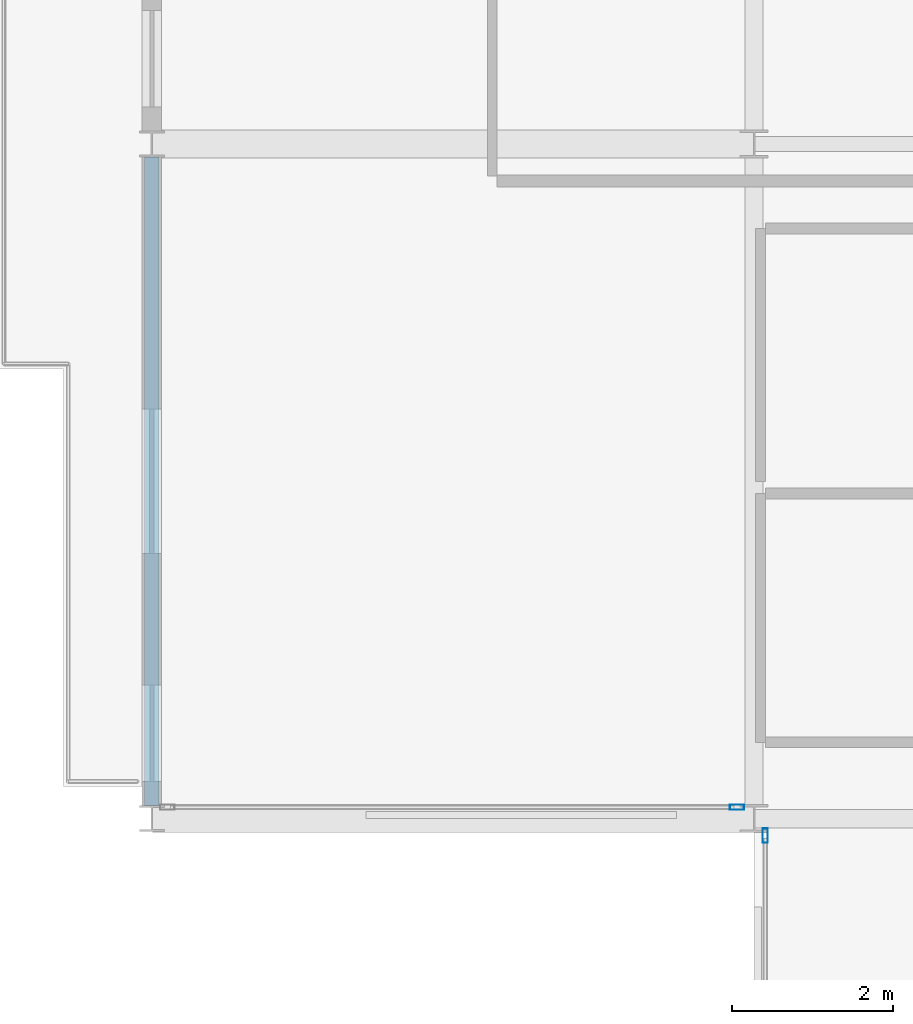
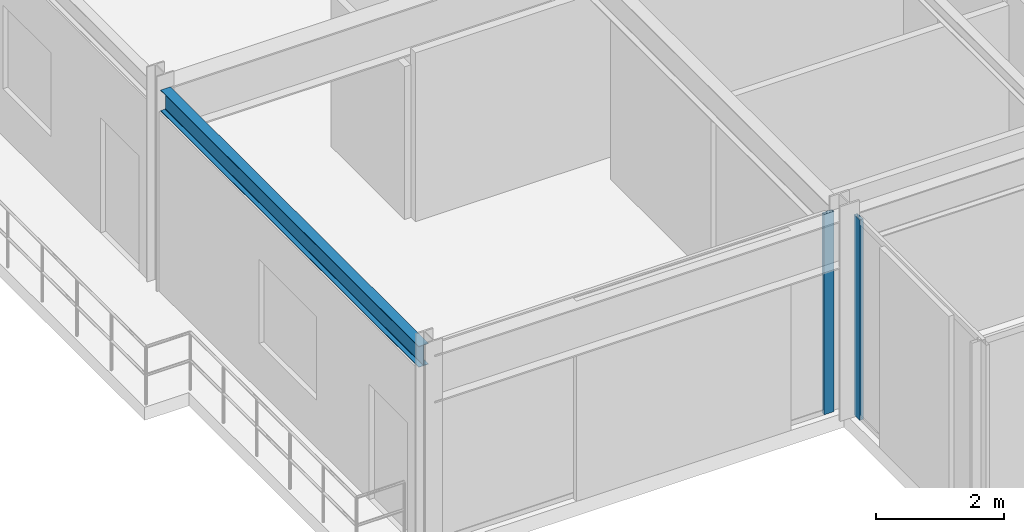
# One storey, part 4 of 29: 2 members, 1 beam, 2 elements without a shape of their own.
"""IFC4 building model written with IfcOpenShell, lengths in metres."""

from ifc_helpers import new_model, si_unit, direction, frame, origin, origin_2d, place, context, subcontext, project, spatial, hollow_rectangle, i_section, extrude, material, layer, layer_set, material_profile, profile_set, type_object, element, aggregate, save


model = new_model("IFC4")

# Units and contexts
model_context = context("Model", 3, precision=1e-05, world=origin(), true_north=direction((0.0, 1.0)))
body_context = subcontext(model_context, "Body", "Model", "MODEL_VIEW")
ifc_project = project(units=[si_unit("LENGTHUNIT", "METRE"), si_unit("AREAUNIT", "SQUARE_METRE"), si_unit("VOLUMEUNIT", "CUBIC_METRE"), si_unit("PLANEANGLEUNIT", "RADIAN"), si_unit("MASSUNIT", "GRAM", prefix="KILO")], contexts=[model_context])

# Site, building, storey
site_placement = place(None, origin())
site = spatial("IfcSite", under=ifc_project, at=site_placement, CompositionType="ELEMENT")
building_placement = place(site_placement, origin())
building = spatial("IfcBuilding", under=site, at=building_placement, Name="Nerrivon Quay Data Exchange", CompositionType="ELEMENT")
storey_placement = place(building_placement, frame((0.0, 0.0, 183.699951171875)))
storey = spatial("IfcBuildingStorey", under=building, at=storey_placement, Name="L43", CompositionType="ELEMENT", Elevation=183.699951171875)

# Beam
ifc_material_1 = material(Name="Steel Grade 350", Category="steel")
ifc_material_profile_1 = material_profile(ifc_material_1, i_section(OverallWidth=0.177978515625, OverallDepth=0.403076171875, WebThickness=0.007568359375, FlangeThickness=0.010986328125, FilletRadius=0.011474609375, at=origin_2d()), Name="410UB53.7")
ifc_profile_set_1 = profile_set([ifc_material_profile_1], Name="Steel Grade 350")
beam_type = type_object("IfcBeamType", Name="BM-SP2-410UB54", PredefinedType="SPANDREL", material=ifc_profile_set_1)
beam_placement = place(storey_placement, frame((-7.5, 8.5634765625, 3.62353515625), z_axis=(0.0, 1.0, 0.0), x_axis=(-1.0, 0.0, 0.0)))
element("IfcBeam", 1, at=beam_placement, inside=storey, type_object=beam_type, Name="L43 West Hooked Edge Spandrel", PredefinedType="SPANDREL", context=body_context, shape_type="SweptSolid", body=[
    extrude(i_section(OverallWidth=0.177978515625, OverallDepth=0.403076171875, WebThickness=0.007568359375, FlangeThickness=0.010986328125, FilletRadius=0.011474609375, at=origin_2d()), origin(), (0.0, 0.0, 1.0), 8.072998046875),
])

# Curtain wall, member
ifc_material_2 = material(Name="Anodised aluminium 6063-T6", Category="aluminium")
ifc_layer_1 = layer(ifc_material_2, 0.195068359375)
ifc_layer_set_1 = layer_set([ifc_layer_1], Name="Anodised aluminium 6063-T6")
curtain_wall_type_1 = type_object("IfcCurtainWallType", Name="CW-SYS-06", PredefinedType="NOTDEFINED", material=ifc_layer_set_1)
curtain_wall_1_placement = place(storey_placement, origin())
curtain_wall_1 = element("IfcCurtainWall", 2, at=curtain_wall_1_placement, inside=storey, type_object=curtain_wall_type_1, Name="L43 Unitised Curtain Wall 31", PredefinedType="NOTDEFINED")
ifc_material_profile_2 = material_profile(ifc_material_2, hollow_rectangle(XDim=0.06494140625, YDim=0.179931640625, WallThickness=0.00341796875, at=origin_2d()), Name="ALU-MULL-180x65")
ifc_profile_set_2 = profile_set([ifc_material_profile_2], Name="Anodised aluminium 6063-T6")
member_type = type_object("IfcMemberType", Name="CWM-180x65", PredefinedType="MULLION", material=ifc_profile_set_2)
member_1_placement = place(storey_placement, frame((0.139892578125, 8.1875, 0.0), z_axis=(0.0, 0.0, 1.0), x_axis=(-1.0, 0.0, 0.0)))
member_1 = element("IfcMember", 3, at=member_1_placement, type_object=member_type, Name="CW06 mullion 2", PredefinedType="MULLION", context=body_context, shape_type="SweptSolid", body=[
    extrude(hollow_rectangle(XDim=0.06494140625, YDim=0.179931640625, WallThickness=0.00341796875, at=origin_2d()), origin(), (0.0, 0.0, 1.0), 3.824951171875),
])
aggregate(curtain_wall_1, [member_1])

ifc_layer_2 = layer(ifc_material_2, 0.199951171875)
ifc_layer_set_2 = layer_set([ifc_layer_2], Name="Anodised aluminium 6063-T6")
curtain_wall_type_2 = type_object("IfcCurtainWallType", Name="CW-SYS-04", PredefinedType="NOTDEFINED", material=ifc_layer_set_2)
curtain_wall_2_placement = place(storey_placement, origin())
curtain_wall_2 = element("IfcCurtainWall", 4, at=curtain_wall_2_placement, inside=storey, type_object=curtain_wall_type_2, Name="L43 Unitised Curtain Wall 32", PredefinedType="NOTDEFINED")
member_2_placement = place(storey_placement, frame((-0.21240234375, 8.5400390625, 0.0), z_axis=(0.0, 0.0, 1.0), x_axis=(0.0, -1.0, 0.0)))
member_2 = element("IfcMember", 5, at=member_2_placement, type_object=member_type, Name="CW04 mullion 1", PredefinedType="MULLION", context=body_context, shape_type="SweptSolid", body=[
    extrude(hollow_rectangle(XDim=0.06494140625, YDim=0.179931640625, WallThickness=0.00341796875, at=origin_2d()), origin(), (0.0, 0.0, 1.0), 3.824951171875),
])
aggregate(curtain_wall_2, [member_2])

save(model, "model.ifc")
